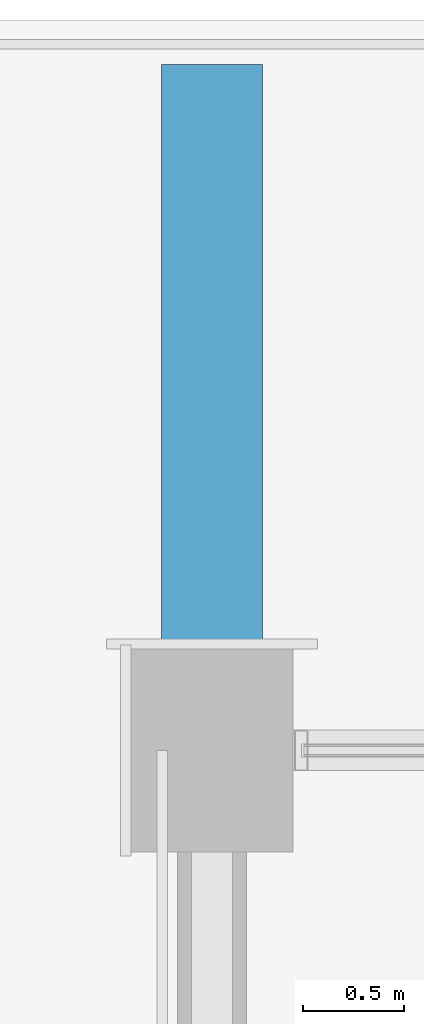
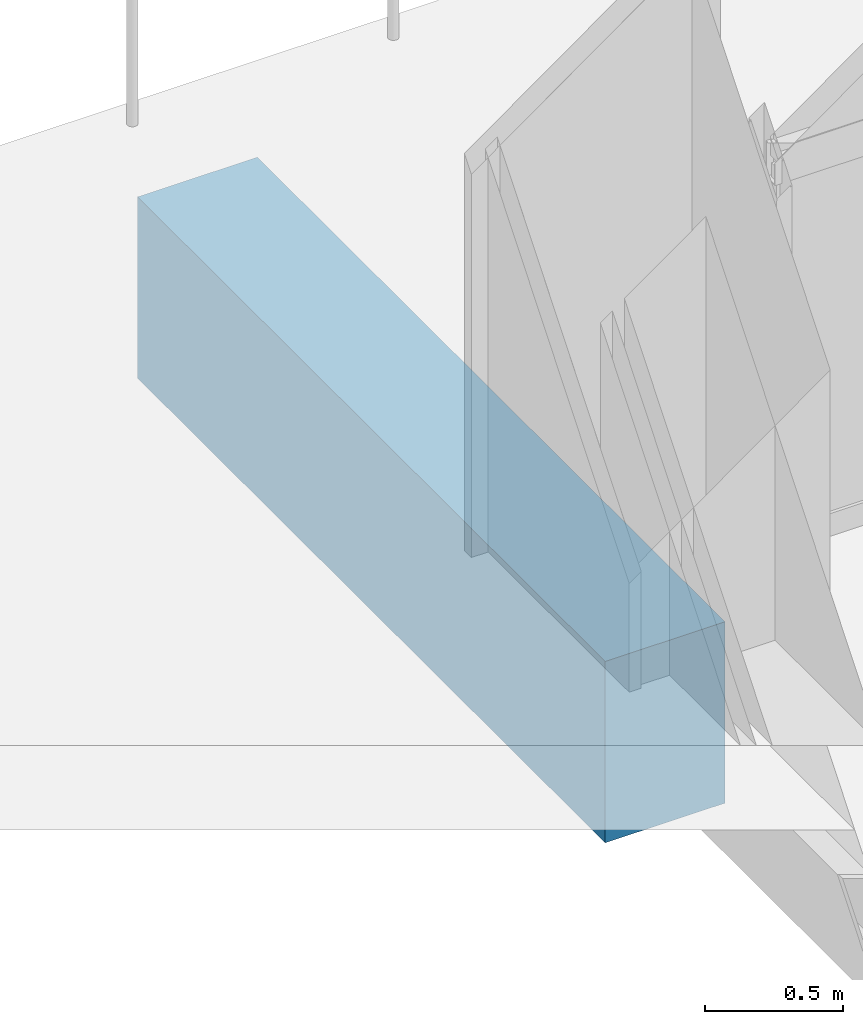
# One storey, part 58 of 90: 1 beam.
"""IFC4 building model written with IfcOpenShell, lengths in metres."""

import ifcopenshell
import ifcopenshell.guid

model = None  # the IFC model being written
_history = None  # IfcOwnerHistory: only IFC2X3 demands one
_inside = {}  # id of a spatial element -> (the spatial element, [elements in it])
_under = {}  # id of a project, library or spatial element -> (it, [spatial elements below it])
_declared = {}  # id of a project -> (the project, [libraries it declares])
_typed = {}  # id of a type object -> (the type object, [elements of that type])
_made_of = {}  # id of a material, layer set ... -> (it, [elements and type objects made of it])


def new_model(schema):
    """Start an empty IFC model of exactly this schema.

    Asked for "IFC4X3", IfcOpenShell would pick the latest addendum, in which some entities
    have other attributes; the version numbers below select the first issue.
    IFC2X3 requires an IfcOwnerHistory on every rooted entity: one is made here for all.
    """
    global model, _history
    if schema == "IFC4X3":
        model = ifcopenshell.file(schema_version=(4, 3, 0, 0))
    else:
        model = ifcopenshell.file(schema=schema)
    _inside.clear()
    _under.clear()
    _declared.clear()
    _typed.clear()
    _made_of.clear()
    _history = None
    if model.schema == "IFC2X3":
        org = make("IfcOrganization", Name="unknown")
        user = make(
            "IfcPersonAndOrganization",
            ThePerson=make("IfcPerson", FamilyName="unknown"),
            TheOrganization=org,
        )
        app = make(
            "IfcApplication",
            ApplicationDeveloper=org,
            Version="unknown",
            ApplicationFullName="unknown",
            ApplicationIdentifier="unknown",
        )
        _history = make(
            "IfcOwnerHistory",
            OwningUser=user,
            OwningApplication=app,
            ChangeAction="ADDED",
            CreationDate=0,
        )
    return model


def make(cls, **values):
    """One entity of the class cls with the attributes given. An attribute that is None is left unset."""
    return model.create_entity(
        cls, **{name: value for name, value in values.items() if value is not None}
    )


def rooted(cls, **values):
    """An entity with a GlobalId (a new one), such as an element, a storey or a relation."""
    return make(cls, GlobalId=ifcopenshell.guid.new(), OwnerHistory=_history, **values)


def si_unit(unit_type, name, prefix=None):
    """IfcSIUnit, for example si_unit("LENGTHUNIT", "METRE", prefix="MILLI")."""
    return make("IfcSIUnit", UnitType=unit_type, Prefix=prefix, Name=name)


def assignment(units):
    """IfcUnitAssignment: the units of a project."""
    return None if units is None else make("IfcUnitAssignment", Units=units)


def point(xyz):
    """IfcCartesianPoint."""
    return None if xyz is None else make("IfcCartesianPoint", Coordinates=xyz)


def direction(xyz):
    """IfcDirection."""
    return None if xyz is None else make("IfcDirection", DirectionRatios=xyz)


def frame(location, z_axis=None, x_axis=None):
    """IfcAxis2Placement3D, a coordinate frame: its origin and axes. An axis left out is left unset."""
    return make(
        "IfcAxis2Placement3D",
        Location=point(location),
        Axis=direction(z_axis),
        RefDirection=direction(x_axis),
    )


def frame_2d(location, x_axis=None):
    """IfcAxis2Placement2D, a coordinate frame in the plane: its origin and x axis."""
    return make(
        "IfcAxis2Placement2D", Location=point(location), RefDirection=direction(x_axis)
    )


def origin():
    """The frame at (0, 0, 0) with its axes left unset."""
    return frame((0.0, 0.0, 0.0))


def origin_2d():
    """The frame at (0, 0) in the plane with its x axis left unset."""
    return frame_2d((0.0, 0.0))


def place(relative_to, where):
    """IfcLocalPlacement: puts the frame where relative to a parent placement (None: the world)."""
    return make(
        "IfcLocalPlacement", PlacementRelTo=relative_to, RelativePlacement=where
    )


def context(
    kind, dimensions, precision=None, world=None, true_north=None, identifier=None
):
    """IfcGeometricRepresentationContext, for example the 3D "Model" context."""
    return make(
        "IfcGeometricRepresentationContext",
        ContextIdentifier=identifier,
        ContextType=kind,
        CoordinateSpaceDimension=dimensions,
        Precision=precision,
        WorldCoordinateSystem=world,
        TrueNorth=true_north,
    )


def subcontext(parent, identifier, kind, view, scale=None):
    """IfcGeometricRepresentationSubContext, for example "Body" below "Model"."""
    return make(
        "IfcGeometricRepresentationSubContext",
        ContextIdentifier=identifier,
        ContextType=kind,
        ParentContext=parent,
        TargetScale=scale,
        TargetView=view,
    )


def project(units=None, contexts=None):
    """IfcProject with its units and contexts."""
    return rooted(
        "IfcProject",
        Name="project",
        RepresentationContexts=contexts,
        UnitsInContext=assignment(units),
    )


def spatial(cls, under=None, at=None, **own):
    """A site, building, storey or space (cls), placed at a placement, below another one or the project."""
    s = rooted(cls, ObjectPlacement=at, **own)
    if under is not None:
        _under.setdefault(under.id(), (under, []))[1].append(s)
    return s


def profile(cls, at=None, kind="AREA", **sizes):
    """A parametric profile (cls). Its sizes go by their IFC names, for example OverallWidth=200.0."""
    return make(cls, ProfileType=kind, Position=at, **sizes)


def rectangle(**sizes):
    """IfcRectangleProfileDef."""
    return profile("IfcRectangleProfileDef", **sizes)


def extrude(swept, where, along, depth):
    """IfcExtrudedAreaSolid: the profile swept, set in the frame where, extruded along a direction by depth."""
    return make(
        "IfcExtrudedAreaSolid",
        SweptArea=swept,
        Position=where,
        ExtrudedDirection=direction(along),
        Depth=depth,
    )


def shape(context_of_items, identifier, shape_type, items):
    """IfcShapeRepresentation: the items that make up one representation, for example the "Body"."""
    return make(
        "IfcShapeRepresentation",
        ContextOfItems=context_of_items,
        RepresentationIdentifier=identifier,
        RepresentationType=shape_type,
        Items=items,
    )


def material(Name=None, Category=None):
    """IfcMaterial."""
    return make("IfcMaterial", Name=Name, Category=Category)


def material_profile(
    of_material, cross_section, Name=None, Category=None, Priority=None
):
    """IfcMaterialProfile: a cross section and its material."""
    return make(
        "IfcMaterialProfile",
        Name=Name,
        Material=of_material,
        Profile=cross_section,
        Priority=Priority,
        Category=Category,
    )


def profile_set(profiles, Name=None, composite=None):
    """IfcMaterialProfileSet."""
    return make(
        "IfcMaterialProfileSet",
        Name=Name,
        MaterialProfiles=profiles,
        CompositeProfile=composite,
    )


def made_of(thing, what):
    """Note that an element or type object is made of a material, layer set ...; save() writes the relation."""
    if what is not None:
        _made_of.setdefault(what.id(), (what, []))[1].append(thing)
    return thing


def type_object(cls, material=None, **own):
    """A type object (cls), such as IfcWallType, which elements share."""
    return made_of(rooted(cls, **own), material)


def element(
    cls,
    number,
    at=None,
    inside=None,
    cuts=None,
    type_object=None,
    material=None,
    context=None,
    identifier="Body",
    shape_type=None,
    held_by="IfcProductDefinitionShape",
    body=None,
    shapes=None,
    **own,
):
    """One element of the class cls, such as IfcWall. Its Tag is "e" and its number.

    at: its placement. inside: the storey or other place that contains it. cuts: it is an
    opening in that element (IfcRelVoidsElement). A single representation is given by context,
    identifier, shape_type and body (its items); several are given by shapes. held_by: the class
    of the entity that holds the representations. save() writes the other relations.
    """
    e = rooted(cls, Tag="e%d" % number, ObjectPlacement=at, **own)
    if body is not None:
        shapes = [shape(context, identifier, shape_type, body)]
    if shapes is not None:
        e.Representation = make(held_by, Representations=shapes)
    if inside is not None:
        _inside.setdefault(inside.id(), (inside, []))[1].append(e)
    if cuts is not None:
        rooted(
            "IfcRelVoidsElement", RelatingBuildingElement=cuts, RelatedOpeningElement=e
        )
    if type_object is not None:
        _typed.setdefault(type_object.id(), (type_object, []))[1].append(e)
    return made_of(e, material)


def aggregate(whole, parts):
    """IfcRelAggregates: a whole, such as a stair, and the parts it consists of."""
    return rooted("IfcRelAggregates", RelatingObject=whole, RelatedObjects=parts)


def save(model, path):
    """Write the relations noted so far, then the file.

    IfcRelAggregates (storeys below a building ...), IfcRelContainedInSpatialStructure (elements
    in a storey), IfcRelDefinesByType, IfcRelAssociatesMaterial and IfcRelDeclares: one each for
    every whole, place, type object, material and project.
    """
    for whole, parts in _under.values():
        aggregate(whole, parts)
    for where, things in _inside.values():
        rooted(
            "IfcRelContainedInSpatialStructure",
            RelatedElements=things,
            RelatingStructure=where,
        )
    for kind, things in _typed.values():
        rooted("IfcRelDefinesByType", RelatedObjects=things, RelatingType=kind)
    for what, things in _made_of.values():
        rooted("IfcRelAssociatesMaterial", RelatedObjects=things, RelatingMaterial=what)
    for by, libraries in _declared.values():
        rooted("IfcRelDeclares", RelatingContext=by, RelatedDefinitions=libraries)
    model.write(path)


model = new_model("IFC4")

# Units and contexts
model_context = context("Model", 3, precision=1e-05, world=origin(), true_north=direction((0.0, 1.0)))
body_context = subcontext(model_context, "Body", "Model", "MODEL_VIEW")
ifc_project = project(units=[si_unit("LENGTHUNIT", "METRE"), si_unit("AREAUNIT", "SQUARE_METRE"), si_unit("VOLUMEUNIT", "CUBIC_METRE"), si_unit("PLANEANGLEUNIT", "RADIAN"), si_unit("MASSUNIT", "GRAM", prefix="KILO")], contexts=[model_context])

# Site, building, storey
site_placement = place(None, origin())
site = spatial("IfcSite", under=ifc_project, at=site_placement, CompositionType="ELEMENT")
building_placement = place(site_placement, origin())
building = spatial("IfcBuilding", under=site, at=building_placement, Name="Solvikara Media Centre", CompositionType="ELEMENT")
storey_placement = place(building_placement, origin())
storey = spatial("IfcBuildingStorey", under=building, at=storey_placement, Name="L00", CompositionType="ELEMENT", Elevation=0.0)

# Beam
ifc_material = material(Name="Concrete fc' 35 MPa (C35/45)", Category="concrete")
ifc_material_profile = material_profile(ifc_material, rectangle(XDim=0.5, YDim=0.800048828125, at=origin_2d()), Name="RC 500x800")
ifc_profile_set = profile_set([ifc_material_profile], Name="Concrete fc' 35 MPa (C35/45)")
beam_type = type_object("IfcBeamType", Name="BM-07", PredefinedType="BEAM", material=ifc_profile_set)
beam_placement = place(storey_placement, frame((127.5, 114.0, -0.64990234375), z_axis=(0.0, 1.0, 0.0), x_axis=(-1.0, 0.0, 0.0)))
element("IfcBeam", 1, at=beam_placement, inside=storey, type_object=beam_type, Name="B-L00-PRM-037", PredefinedType="BEAM", context=body_context, shape_type="SweptSolid", body=[
    extrude(rectangle(XDim=0.5, YDim=0.800048828125, at=origin_2d()), origin(), (0.0, 0.0, 1.0), 3.3798828125),
])

save(model, "model.ifc")
